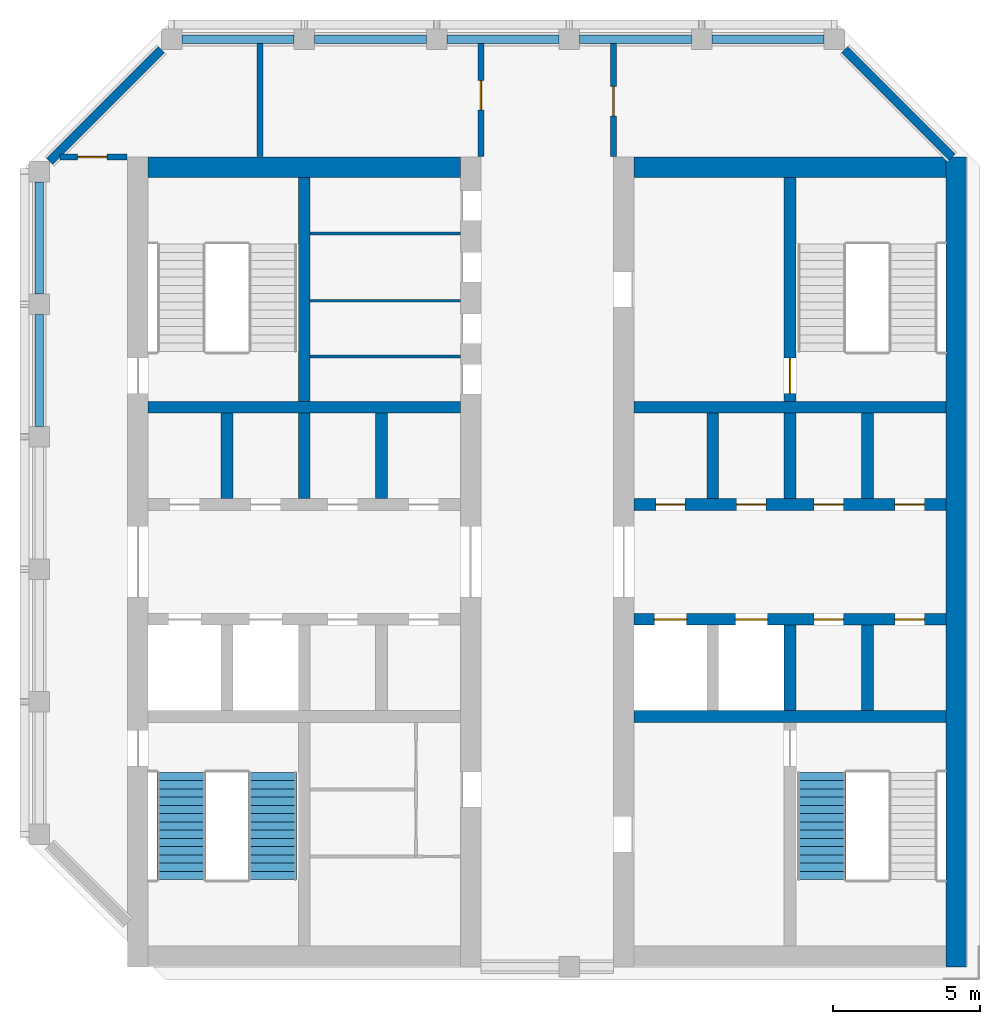
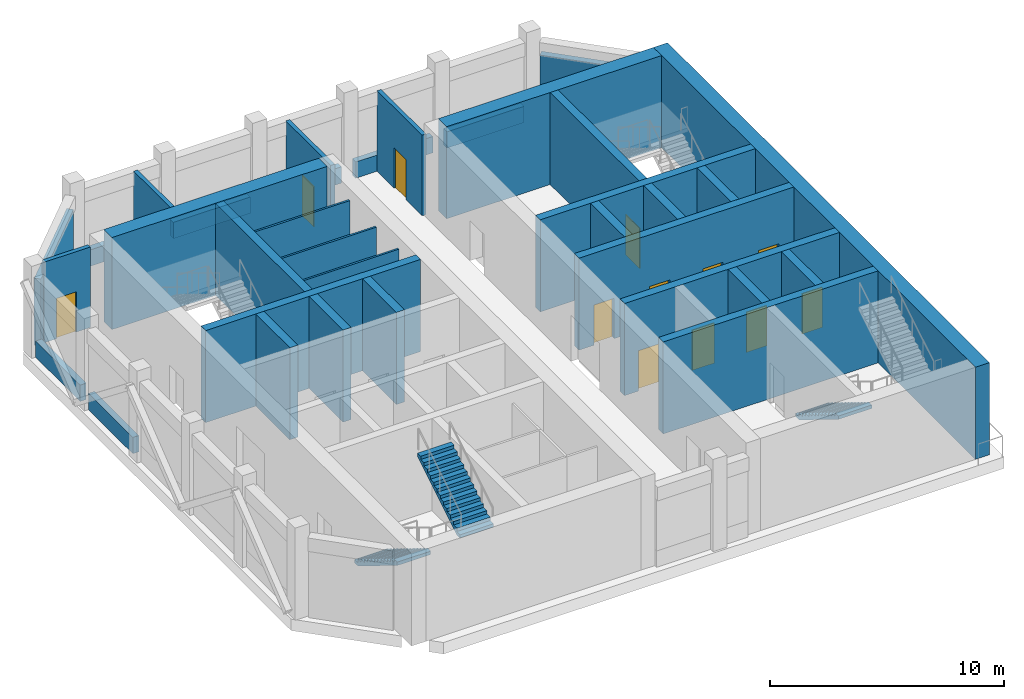
# One storey, part 3 of 6: 34 walls, 12 doors, 3 stair flights, 12 openings, 2 elements without a shape of their own.
"""IFC4 building model written with IfcOpenShell, lengths in metres."""

from ifc_helpers import new_model, si_unit, direction, frame, frame_2d, origin, place, context, subcontext, project, spatial, polyline, rectangle, outline, extrude, material, layer, layer_set, type_object, element, fill, aggregate, save


model = new_model("IFC4")

# Units and contexts
model_context = context("Model", 3, precision=1e-05, world=origin(), true_north=direction((0.0, 1.0)))
body_context = subcontext(model_context, "Body", "Model", "MODEL_VIEW")
ifc_project = project(units=[si_unit("LENGTHUNIT", "METRE"), si_unit("AREAUNIT", "SQUARE_METRE"), si_unit("VOLUMEUNIT", "CUBIC_METRE"), si_unit("PLANEANGLEUNIT", "RADIAN"), si_unit("MASSUNIT", "GRAM", prefix="KILO")], contexts=[model_context])

# Site, building, storey
site_placement = place(None, origin())
site = spatial("IfcSite", under=ifc_project, at=site_placement, CompositionType="ELEMENT")
building_placement = place(site_placement, origin())
building = spatial("IfcBuilding", under=site, at=building_placement, Name="Corbel Stack Research Tower", CompositionType="ELEMENT")
storey_placement = place(building_placement, frame((0.0, 0.0, 321.39990234375)))
storey = spatial("IfcBuildingStorey", under=building, at=storey_placement, Name="L72", CompositionType="ELEMENT", Elevation=321.39990234375)

# Wall, opening, door
ifc_material_1 = material(Name="Concrete blockwork C20/25", Category="masonry")
ifc_layer_1 = layer(ifc_material_1, 0.199951171875)
ifc_layer_set_1 = layer_set([ifc_layer_1], Name="Concrete blockwork C20/25")
wall_type_1 = type_object("IfcWallType", Name="Blockwork partition 200", PredefinedType="PARTITIONING", material=ifc_layer_set_1)
wall_1_placement = place(storey_placement, frame((-12.794921875, 18.5, 0.0), z_axis=(0.0, 0.0, 1.0), x_axis=(1.0, 0.0, 0.0)))
wall_1 = element("IfcWall", 1, at=wall_1_placement, inside=storey, type_object=wall_type_1, Name="Partition L72-01", PredefinedType="PARTITIONING", context=body_context, shape_type="SweptSolid", body=[
    extrude(rectangle(XDim=2.27490234375, YDim=0.199951171875, at=frame_2d((1.137451171875, 0.0))), origin(), (0.0, 0.0, 1.0), 4.2001953125),
])
opening_1_placement = place(wall_1_placement, frame((0.594970703125, 0.0, 0.0)))
opening_1 = element("IfcOpeningElement", 2, at=opening_1_placement, cuts=wall_1, Name="Opening D72-01", PredefinedType="OPENING", context=body_context, shape_type="SweptSolid", body=[
    extrude(rectangle(XDim=1.0, YDim=2.10009765625, at=frame_2d((0.5, 1.050048828125))), frame((0.0, 0.10986328125, 0.0), z_axis=(0.0, -1.0, 0.0), x_axis=(1.0, 0.0, 0.0)), (0.0, 0.0, 1.0), 0.219970703125),
])
ifc_material_2 = material(Name="Steel, painted", Category="steel")
door_type_1 = type_object("IfcDoorType", Name="Steel door 1000 x 2100 FD60", OperationType="SINGLE_SWING_LEFT", PredefinedType="DOOR", material=ifc_material_2)
door_1_placement = place(opening_1_placement, origin())
door_1 = element("IfcDoor", 3, at=door_1_placement, inside=storey, type_object=door_type_1, Name="Cooling water treatment plant room door", OperationType="SINGLE_SWING_LEFT", OverallHeight=2.10009765625, OverallWidth=1.0, PredefinedType="DOOR", context=body_context, shape_type="SweptSolid", body=[
    extrude(rectangle(XDim=1.0, YDim=2.10009765625, at=frame_2d((0.5, 1.050048828125))), frame((0.0, 0.02490234375, 0.0), z_axis=(0.0, -1.0, 0.0), x_axis=(1.0, 0.0, 0.0)), (0.0, 0.0, 1.0), 0.050048828125),
])
fill(opening_1, door_1)

# Wall
wall_2_placement = place(storey_placement, frame((-6.0, 22.35498046875, 0.0), z_axis=(0.0, 0.0, 1.0), x_axis=(0.0, -1.0, 0.0)))
element("IfcWall", 4, at=wall_2_placement, inside=storey, type_object=wall_type_1, Name="Partition L72-02", PredefinedType="PARTITIONING", context=body_context, shape_type="SweptSolid", body=[
    extrude(rectangle(XDim=3.8349609375, YDim=0.199951171875, at=frame_2d((1.91748046875, 0.0))), origin(), (0.0, 0.0, 1.0), 4.2001953125),
])

# Wall, opening, door
wall_3_placement = place(storey_placement, frame((1.5, 18.52001953125, 0.0), z_axis=(0.0, 0.0, 1.0), x_axis=(0.0, 1.0, 0.0)))
wall_3 = element("IfcWall", 5, at=wall_3_placement, inside=storey, type_object=wall_type_1, Name="Partition L72-03", PredefinedType="PARTITIONING", context=body_context, shape_type="SweptSolid", body=[
    extrude(rectangle(XDim=3.8349609375, YDim=0.199951171875, at=frame_2d((1.91748046875, 0.0))), origin(), (0.0, 0.0, 1.0), 4.2001953125),
])
opening_2_placement = place(wall_3_placement, frame((1.580078125, 0.0, 0.0)))
opening_2 = element("IfcOpeningElement", 6, at=opening_2_placement, cuts=wall_3, Name="Opening D72-02", PredefinedType="OPENING", context=body_context, shape_type="SweptSolid", body=[
    extrude(rectangle(XDim=1.0, YDim=2.10009765625, at=frame_2d((0.5, 1.050048828125))), frame((0.0, 0.10986328125, 0.0), z_axis=(0.0, -1.0, 0.0), x_axis=(1.0, 0.0, 0.0)), (0.0, 0.0, 1.0), 0.219970703125),
])
door_2_placement = place(opening_2_placement, origin())
door_2 = element("IfcDoor", 7, at=door_2_placement, inside=storey, type_object=door_type_1, Name="Lift machine plant room door", OperationType="SINGLE_SWING_LEFT", OverallHeight=2.10009765625, OverallWidth=1.0, PredefinedType="DOOR", context=body_context, shape_type="SweptSolid", body=[
    extrude(rectangle(XDim=1.0, YDim=2.10009765625, at=frame_2d((0.5, 1.050048828125))), frame((0.0, 0.02490234375, 0.0), z_axis=(0.0, -1.0, 0.0), x_axis=(1.0, 0.0, 0.0)), (0.0, 0.0, 1.0), 0.050048828125),
])
fill(opening_2, door_2)

wall_4_placement = place(storey_placement, frame((6.0, 22.35498046875, 0.0), z_axis=(0.0, 0.0, 1.0), x_axis=(0.0, -1.0, 0.0)))
wall_4 = element("IfcWall", 8, at=wall_4_placement, inside=storey, type_object=wall_type_1, Name="Partition L72-04", PredefinedType="PARTITIONING", context=body_context, shape_type="SweptSolid", body=[
    extrude(rectangle(XDim=3.8349609375, YDim=0.199951171875, at=frame_2d((1.91748046875, 0.0))), origin(), (0.0, 0.0, 1.0), 4.2001953125),
])
opening_3_placement = place(wall_4_placement, frame((1.455078125, 0.0, 0.0)))
opening_3 = element("IfcOpeningElement", 9, at=opening_3_placement, cuts=wall_4, Name="Opening D72-03", PredefinedType="OPENING", context=body_context, shape_type="SweptSolid", body=[
    extrude(rectangle(XDim=1.0, YDim=2.10009765625, at=frame_2d((0.5, 1.050048828125))), frame((0.0, 0.10986328125, 0.0), z_axis=(0.0, -1.0, 0.0), x_axis=(1.0, 0.0, 0.0)), (0.0, 0.0, 1.0), 0.219970703125),
])
door_3_placement = place(opening_3_placement, origin())
door_3 = element("IfcDoor", 10, at=door_3_placement, inside=storey, type_object=door_type_1, Name="Controls and monitoring plant room door", OperationType="SINGLE_SWING_LEFT", OverallHeight=2.10009765625, OverallWidth=1.0, PredefinedType="DOOR", context=body_context, shape_type="SweptSolid", body=[
    extrude(rectangle(XDim=1.0, YDim=2.10009765625, at=frame_2d((0.5, 1.050048828125))), frame((0.0, 0.02490234375, 0.0), z_axis=(0.0, -1.0, 0.0), x_axis=(1.0, 0.0, 0.0)), (0.0, 0.0, 1.0), 0.050048828125),
])
fill(opening_3, door_3)

# Walls
ifc_material_3 = material(Name="Concrete C60/75", Category="concrete")
ifc_layer_2 = layer(ifc_material_3, 0.39990234375)
ifc_layer_set_2 = layer_set([ifc_layer_2], Name="Concrete C60/75")
wall_type_2 = type_object("IfcWallType", Name="CW-400-60", PredefinedType="SHEAR", material=ifc_layer_set_2)
wall_5_placement = place(storey_placement, frame((-9.800048828125, 10.0, 0.0), z_axis=(0.0, 0.0, 1.0), x_axis=(1.0, 0.0, 0.0)))
element("IfcWall", 11, at=wall_5_placement, inside=storey, type_object=wall_type_2, Name="West core wall, north row back L72", PredefinedType="SHEAR", context=body_context, shape_type="SweptSolid", body=[
    extrude(rectangle(XDim=10.60009765625, YDim=0.39990234375, at=frame_2d((5.300048828125, 0.0))), origin(), (0.0, 0.0, 1.0), 4.800048828125),
])
for number, where, z_axis, x_axis, name in (
    (12, (-7.125, 6.89990234375, 0.0), (0.0, 0.0, 1.0), (0.0, 1.0, 0.0), "West core wall, north shaft 1 L72"),
    (13, (-4.5, 6.89990234375, 0.0), (0.0, 0.0, 1.0), (0.0, 1.0, 0.0), "West core wall, north shaft 2 L72"),
    (14, (-1.875, 6.89990234375, 0.0), (0.0, 0.0, 1.0), (0.0, 1.0, 0.0), "West core wall, north shaft 3 L72"),
):
    element("IfcWall", number, at=place(storey_placement, frame(where, z_axis=z_axis, x_axis=x_axis)), inside=storey, type_object=wall_type_2, Name=name, PredefinedType="SHEAR", context=body_context, shape_type="SweptSolid", body=[
        extrude(rectangle(XDim=2.900146484375, YDim=0.39990234375, at=frame_2d((1.4501953125, 0.0))), origin(), (0.0, 0.0, 1.0), 4.800048828125),
    ])
wall_6_placement = place(storey_placement, frame((-4.5, 10.199951171875, 0.0), z_axis=(0.0, 0.0, 1.0), x_axis=(0.0, 1.0, 0.0)))
element("IfcWall", 15, at=wall_6_placement, inside=storey, type_object=wall_type_2, Name="West core wall, north stair and riser L72", PredefinedType="SHEAR", context=body_context, shape_type="SweptSolid", body=[
    extrude(rectangle(XDim=7.60009765625, YDim=0.39990234375, at=frame_2d((3.800048828125, 0.0))), origin(), (0.0, 0.0, 1.0), 4.800048828125),
])
wall_7_placement = place(storey_placement, frame((6.699951171875, -0.5, 0.0), z_axis=(0.0, 0.0, 1.0), x_axis=(1.0, 0.0, 0.0)))
element("IfcWall", 16, at=wall_7_placement, inside=storey, type_object=wall_type_2, Name="East core wall, south row back L72", PredefinedType="SHEAR", context=body_context, shape_type="SweptSolid", body=[
    extrude(rectangle(XDim=10.60009765625, YDim=0.39990234375, at=frame_2d((5.300048828125, 0.0))), origin(), (0.0, 0.0, 1.0), 4.800048828125),
])

# Wall, openings, doors
wall_8_placement = place(storey_placement, frame((6.699951171875, 2.800048828125, 0.0), z_axis=(0.0, 0.0, 1.0), x_axis=(1.0, 0.0, 0.0)))
wall_8 = element("IfcWall", 17, at=wall_8_placement, inside=storey, type_object=wall_type_2, Name="East core wall, lobby south L72", PredefinedType="SHEAR", context=body_context, shape_type="SweptSolid", body=[
    extrude(rectangle(XDim=10.60009765625, YDim=0.39990234375, at=frame_2d((5.300048828125, 0.0))), origin(), (0.0, 0.0, 1.0), 4.800048828125),
])
opening_4_placement = place(wall_8_placement, frame((0.6875, 0.0, 0.0)))
opening_4 = element("IfcOpeningElement", 18, at=opening_4_placement, cuts=wall_8, Name="Opening LD-FS2", PredefinedType="OPENING", context=body_context, shape_type="SweptSolid", body=[
    extrude(rectangle(XDim=1.10009765625, YDim=2.10009765625, at=frame_2d((0.550048828125, 1.050048828125))), frame((0.0, 0.2099609375, 0.0), z_axis=(0.0, -1.0, 0.0), x_axis=(1.0, 0.0, 0.0)), (0.0, 0.0, 1.0), 0.419921875),
])
opening_5_placement = place(wall_8_placement, frame((3.4375, 0.0, 0.0)))
opening_5 = element("IfcOpeningElement", 19, at=opening_5_placement, cuts=wall_8, Name="Opening LD-GL2", PredefinedType="OPENING", context=body_context, shape_type="SweptSolid", body=[
    extrude(rectangle(XDim=1.10009765625, YDim=2.10009765625, at=frame_2d((0.550048828125, 1.050048828125))), frame((0.0, 0.2099609375, 0.0), z_axis=(0.0, -1.0, 0.0), x_axis=(1.0, 0.0, 0.0)), (0.0, 0.0, 1.0), 0.419921875),
])
opening_6_placement = place(wall_8_placement, frame((6.112548828125, 0.0, 0.0)))
opening_6 = element("IfcOpeningElement", 20, at=opening_6_placement, cuts=wall_8, Name="Opening CR-E66v-S3", PredefinedType="OPENING", context=body_context, shape_type="SweptSolid", body=[
    extrude(rectangle(XDim=1.0, YDim=2.10009765625, at=frame_2d((0.5, 1.050048828125))), frame((0.0, 0.2099609375, 0.0), z_axis=(0.0, -1.0, 0.0), x_axis=(1.0, 0.0, 0.0)), (0.0, 0.0, 1.0), 0.419921875),
])
opening_7_placement = place(wall_8_placement, frame((8.862548828125, 0.0, 0.0)))
opening_7 = element("IfcOpeningElement", 21, at=opening_7_placement, cuts=wall_8, Name="Opening CR-E66v-S4", PredefinedType="OPENING", context=body_context, shape_type="SweptSolid", body=[
    extrude(rectangle(XDim=1.0, YDim=2.10009765625, at=frame_2d((0.5, 1.050048828125))), frame((0.0, 0.2099609375, 0.0), z_axis=(0.0, -1.0, 0.0), x_axis=(1.0, 0.0, 0.0)), (0.0, 0.0, 1.0), 0.419921875),
])
ifc_material_4 = material(Name="Stainless steel landing door", Category="steel")
door_type_2 = type_object("IfcDoorType", Name="Lift landing door 1100 x 2100", OperationType="DOUBLE_DOOR_SLIDING", PredefinedType="DOOR", material=ifc_material_4)
door_4_placement = place(opening_4_placement, origin())
door_4 = element("IfcDoor", 22, at=door_4_placement, inside=storey, type_object=door_type_2, Name="Landing door FS2", OperationType="DOUBLE_DOOR_SLIDING", OverallHeight=2.10009765625, OverallWidth=1.10009765625, PredefinedType="DOOR", context=body_context, shape_type="SweptSolid", body=[
    extrude(rectangle(XDim=1.10009765625, YDim=2.10009765625, at=frame_2d((0.550048828125, 1.050048828125))), frame((0.0, 0.02490234375, 0.0), z_axis=(0.0, -1.0, 0.0), x_axis=(1.0, 0.0, 0.0)), (0.0, 0.0, 1.0), 0.050048828125),
])
fill(opening_4, door_4)
door_5_placement = place(opening_5_placement, origin())
door_5 = element("IfcDoor", 23, at=door_5_placement, inside=storey, type_object=door_type_2, Name="Landing door GL2", OperationType="DOUBLE_DOOR_SLIDING", OverallHeight=2.10009765625, OverallWidth=1.10009765625, PredefinedType="DOOR", context=body_context, shape_type="SweptSolid", body=[
    extrude(rectangle(XDim=1.10009765625, YDim=2.10009765625, at=frame_2d((0.550048828125, 1.050048828125))), frame((0.0, 0.02490234375, 0.0), z_axis=(0.0, -1.0, 0.0), x_axis=(1.0, 0.0, 0.0)), (0.0, 0.0, 1.0), 0.050048828125),
])
fill(opening_5, door_5)
ifc_material_5 = material(Name="Painted steel door", Category="steel")
door_type_3 = type_object("IfcDoorType", Name="Service door 1000 x 2100 FD60 left hand", OperationType="SINGLE_SWING_LEFT", PredefinedType="DOOR", material=ifc_material_5)
door_6_placement = place(opening_6_placement, origin())
door_6 = element("IfcDoor", 24, at=door_6_placement, inside=storey, type_object=door_type_3, Name="Electrical switch room door E core", OperationType="SINGLE_SWING_LEFT", OverallHeight=2.10009765625, OverallWidth=1.0, PredefinedType="DOOR", context=body_context, shape_type="SweptSolid", body=[
    extrude(rectangle(XDim=1.0, YDim=2.10009765625, at=frame_2d((0.5, 1.050048828125))), frame((0.0, 0.02490234375, 0.0), z_axis=(0.0, -1.0, 0.0), x_axis=(1.0, 0.0, 0.0)), (0.0, 0.0, 1.0), 0.050048828125),
])
fill(opening_6, door_6)
ifc_material_6 = material(Name="Painted steel door", Category="steel")
door_type_4 = type_object("IfcDoorType", Name="Service door 1000 x 2100 FD60 right hand", OperationType="SINGLE_SWING_RIGHT", PredefinedType="DOOR", material=ifc_material_6)
door_7_placement = place(opening_7_placement, origin())
door_7 = element("IfcDoor", 25, at=door_7_placement, inside=storey, type_object=door_type_4, Name="Electrical switch room door E core", OperationType="SINGLE_SWING_RIGHT", OverallHeight=2.10009765625, OverallWidth=1.0, PredefinedType="DOOR", context=body_context, shape_type="SweptSolid", body=[
    extrude(rectangle(XDim=1.0, YDim=2.10009765625, at=frame_2d((0.5, 1.050048828125))), frame((0.0, 0.02490234375, 0.0), z_axis=(0.0, -1.0, 0.0), x_axis=(1.0, 0.0, 0.0)), (0.0, 0.0, 1.0), 0.050048828125),
])
fill(opening_7, door_7)

wall_9_placement = place(storey_placement, frame((6.699951171875, 6.699951171875, 0.0), z_axis=(0.0, 0.0, 1.0), x_axis=(1.0, 0.0, 0.0)))
wall_9 = element("IfcWall", 26, at=wall_9_placement, inside=storey, type_object=wall_type_2, Name="East core wall, lobby north L72", PredefinedType="SHEAR", context=body_context, shape_type="SweptSolid", body=[
    extrude(rectangle(XDim=10.60009765625, YDim=0.39990234375, at=frame_2d((5.300048828125, 0.0))), origin(), (0.0, 0.0, 1.0), 4.800048828125),
])
opening_8_placement = place(wall_9_placement, frame((0.737548828125, 0.0, 0.0)))
opening_8 = element("IfcOpeningElement", 27, at=opening_8_placement, cuts=wall_9, Name="Opening CR-E66v-N1", PredefinedType="OPENING", context=body_context, shape_type="SweptSolid", body=[
    extrude(rectangle(XDim=1.0, YDim=2.10009765625, at=frame_2d((0.5, 1.050048828125))), frame((0.0, 0.2099609375, 0.0), z_axis=(0.0, -1.0, 0.0), x_axis=(1.0, 0.0, 0.0)), (0.0, 0.0, 1.0), 0.419921875),
])
opening_9_placement = place(wall_9_placement, frame((3.487548828125, 0.0, 0.0)))
opening_9 = element("IfcOpeningElement", 28, at=opening_9_placement, cuts=wall_9, Name="Opening CR-E66v-N2", PredefinedType="OPENING", context=body_context, shape_type="SweptSolid", body=[
    extrude(rectangle(XDim=1.0, YDim=2.10009765625, at=frame_2d((0.5, 1.050048828125))), frame((0.0, 0.2099609375, 0.0), z_axis=(0.0, -1.0, 0.0), x_axis=(1.0, 0.0, 0.0)), (0.0, 0.0, 1.0), 0.419921875),
])
opening_10_placement = place(wall_9_placement, frame((6.112548828125, 0.0, 0.0)))
opening_10 = element("IfcOpeningElement", 29, at=opening_10_placement, cuts=wall_9, Name="Opening CR-E66v-N3", PredefinedType="OPENING", context=body_context, shape_type="SweptSolid", body=[
    extrude(rectangle(XDim=1.0, YDim=2.10009765625, at=frame_2d((0.5, 1.050048828125))), frame((0.0, 0.2099609375, 0.0), z_axis=(0.0, -1.0, 0.0), x_axis=(1.0, 0.0, 0.0)), (0.0, 0.0, 1.0), 0.419921875),
])
opening_11_placement = place(wall_9_placement, frame((8.862548828125, 0.0, 0.0)))
opening_11 = element("IfcOpeningElement", 30, at=opening_11_placement, cuts=wall_9, Name="Opening CR-E66v-N4", PredefinedType="OPENING", context=body_context, shape_type="SweptSolid", body=[
    extrude(rectangle(XDim=1.0, YDim=2.10009765625, at=frame_2d((0.5, 1.050048828125))), frame((0.0, 0.2099609375, 0.0), z_axis=(0.0, -1.0, 0.0), x_axis=(1.0, 0.0, 0.0)), (0.0, 0.0, 1.0), 0.419921875),
])
door_8_placement = place(opening_8_placement, origin())
door_8 = element("IfcDoor", 31, at=door_8_placement, inside=storey, type_object=door_type_3, Name="Electrical switch room door E core", OperationType="SINGLE_SWING_LEFT", OverallHeight=2.10009765625, OverallWidth=1.0, PredefinedType="DOOR", context=body_context, shape_type="SweptSolid", body=[
    extrude(rectangle(XDim=1.0, YDim=2.10009765625, at=frame_2d((0.5, 1.050048828125))), frame((0.0, 0.02490234375, 0.0), z_axis=(0.0, -1.0, 0.0), x_axis=(1.0, 0.0, 0.0)), (0.0, 0.0, 1.0), 0.050048828125),
])
fill(opening_8, door_8)
door_9_placement = place(opening_10_placement, origin())
door_9 = element("IfcDoor", 32, at=door_9_placement, inside=storey, type_object=door_type_3, Name="Telecom plant room door E core", OperationType="SINGLE_SWING_LEFT", OverallHeight=2.10009765625, OverallWidth=1.0, PredefinedType="DOOR", context=body_context, shape_type="SweptSolid", body=[
    extrude(rectangle(XDim=1.0, YDim=2.10009765625, at=frame_2d((0.5, 1.050048828125))), frame((0.0, 0.02490234375, 0.0), z_axis=(0.0, -1.0, 0.0), x_axis=(1.0, 0.0, 0.0)), (0.0, 0.0, 1.0), 0.050048828125),
])
fill(opening_10, door_9)
door_10_placement = place(opening_9_placement, origin())
door_10 = element("IfcDoor", 33, at=door_10_placement, inside=storey, type_object=door_type_4, Name="Telecom plant room door E core", OperationType="SINGLE_SWING_RIGHT", OverallHeight=2.10009765625, OverallWidth=1.0, PredefinedType="DOOR", context=body_context, shape_type="SweptSolid", body=[
    extrude(rectangle(XDim=1.0, YDim=2.10009765625, at=frame_2d((0.5, 1.050048828125))), frame((0.0, 0.02490234375, 0.0), z_axis=(0.0, -1.0, 0.0), x_axis=(1.0, 0.0, 0.0)), (0.0, 0.0, 1.0), 0.050048828125),
])
fill(opening_9, door_10)
door_11_placement = place(opening_11_placement, origin())
door_11 = element("IfcDoor", 34, at=door_11_placement, inside=storey, type_object=door_type_4, Name="Telecom plant room door E core", OperationType="SINGLE_SWING_RIGHT", OverallHeight=2.10009765625, OverallWidth=1.0, PredefinedType="DOOR", context=body_context, shape_type="SweptSolid", body=[
    extrude(rectangle(XDim=1.0, YDim=2.10009765625, at=frame_2d((0.5, 1.050048828125))), frame((0.0, 0.02490234375, 0.0), z_axis=(0.0, -1.0, 0.0), x_axis=(1.0, 0.0, 0.0)), (0.0, 0.0, 1.0), 0.050048828125),
])
fill(opening_11, door_11)

# Walls
wall_10_placement = place(storey_placement, frame((6.699951171875, 10.0, 0.0), z_axis=(0.0, 0.0, 1.0), x_axis=(1.0, 0.0, 0.0)))
element("IfcWall", 35, at=wall_10_placement, inside=storey, type_object=wall_type_2, Name="East core wall, north row back L72", PredefinedType="SHEAR", context=body_context, shape_type="SweptSolid", body=[
    extrude(rectangle(XDim=10.60009765625, YDim=0.39990234375, at=frame_2d((5.300048828125, 0.0))), origin(), (0.0, 0.0, 1.0), 4.800048828125),
])
for number, where, z_axis, x_axis, name in (
    (36, (9.375, 6.89990234375, 0.0), (0.0, 0.0, 1.0), (0.0, 1.0, 0.0), "East core wall, north shaft 1 L72"),
    (37, (12.0, -0.300048828125, 0.0), (0.0, 0.0, 1.0), (0.0, 1.0, 0.0), "East core wall, south shaft 2 L72"),
    (38, (12.0, 6.89990234375, 0.0), (0.0, 0.0, 1.0), (0.0, 1.0, 0.0), "East core wall, north shaft 2 L72"),
    (39, (14.625, -0.300048828125, 0.0), (0.0, 0.0, 1.0), (0.0, 1.0, 0.0), "East core wall, south shaft 3 L72"),
    (40, (14.625, 6.89990234375, 0.0), (0.0, 0.0, 1.0), (0.0, 1.0, 0.0), "East core wall, north shaft 3 L72"),
):
    element("IfcWall", number, at=place(storey_placement, frame(where, z_axis=z_axis, x_axis=x_axis)), inside=storey, type_object=wall_type_2, Name=name, PredefinedType="SHEAR", context=body_context, shape_type="SweptSolid", body=[
        extrude(rectangle(XDim=2.900146484375, YDim=0.39990234375, at=frame_2d((1.4501953125, 0.0))), origin(), (0.0, 0.0, 1.0), 4.800048828125),
    ])

# Wall, opening, door
wall_11_placement = place(storey_placement, frame((12.0, 10.199951171875, 0.0), z_axis=(0.0, 0.0, 1.0), x_axis=(0.0, 1.0, 0.0)))
wall_11 = element("IfcWall", 41, at=wall_11_placement, inside=storey, type_object=wall_type_2, Name="East core wall, north stair and riser L72", PredefinedType="SHEAR", context=body_context, shape_type="SweptSolid", body=[
    extrude(rectangle(XDim=7.60009765625, YDim=0.39990234375, at=frame_2d((3.800048828125, 0.0))), origin(), (0.0, 0.0, 1.0), 4.800048828125),
])
opening_12_placement = place(wall_11_placement, frame((0.27490234375, 0.0, 0.0)))
opening_12 = element("IfcOpeningElement", 42, at=opening_12_placement, cuts=wall_11, Name="Opening SD-ST-E2", PredefinedType="OPENING", context=body_context, shape_type="SweptSolid", body=[
    extrude(rectangle(XDim=1.199951171875, YDim=2.10009765625, at=frame_2d((0.60009765625, 1.050048828125))), frame((0.0, 0.2099609375, 0.0), z_axis=(0.0, -1.0, 0.0), x_axis=(1.0, 0.0, 0.0)), (0.0, 0.0, 1.0), 0.419921875),
])
ifc_material_7 = material(Name="Painted steel fire door", Category="steel")
door_type_5 = type_object("IfcDoorType", Name="Stair door 1200 x 2100 FD90 right hand", OperationType="SINGLE_SWING_RIGHT", PredefinedType="DOOR", material=ifc_material_7)
door_12_placement = place(opening_12_placement, origin())
door_12 = element("IfcDoor", 43, at=door_12_placement, inside=storey, type_object=door_type_5, Name="Stair door ST-E2", OperationType="SINGLE_SWING_RIGHT", OverallHeight=2.10009765625, OverallWidth=1.199951171875, PredefinedType="DOOR", context=body_context, shape_type="SweptSolid", body=[
    extrude(rectangle(XDim=1.199951171875, YDim=2.10009765625, at=frame_2d((0.60009765625, 1.050048828125))), frame((0.0, 0.02490234375, 0.0), z_axis=(0.0, -1.0, 0.0), x_axis=(1.0, 0.0, 0.0)), (0.0, 0.0, 1.0), 0.050048828125),
])
fill(opening_12, door_12)

# Walls
ifc_material_8 = material(Name="Concrete C60/75", Category="concrete")
ifc_layer_3 = layer(ifc_material_8, 0.699951171875)
ifc_layer_set_3 = layer_set([ifc_layer_3], Name="Concrete C60/75")
wall_type_3 = type_object("IfcWallType", Name="CW-700-60", PredefinedType="SHEAR", material=ifc_layer_set_3)
wall_12_placement = place(storey_placement, frame((-9.800048828125, 18.14990234375, 0.0), z_axis=(0.0, 0.0, 1.0), x_axis=(1.0, 0.0, 0.0)))
element("IfcWall", 44, at=wall_12_placement, inside=storey, type_object=wall_type_3, Name="West core wall, north end L72", PredefinedType="SHEAR", context=body_context, shape_type="SweptSolid", body=[
    extrude(rectangle(XDim=10.60009765625, YDim=0.699951171875, at=frame_2d((5.300048828125, 0.0))), origin(), (0.0, 0.0, 1.0), 4.800048828125),
])
wall_13_placement = place(storey_placement, frame((17.64990234375, -9.0, 0.0), z_axis=(0.0, 0.0, 1.0), x_axis=(0.0, 1.0, 0.0)))
element("IfcWall", 45, at=wall_13_placement, inside=storey, type_object=wall_type_3, Name="East core wall, east face L72", PredefinedType="SHEAR", context=body_context, shape_type="SweptSolid", body=[
    extrude(rectangle(XDim=27.5, YDim=0.699951171875, at=frame_2d((13.75, 0.0))), origin(), (0.0, 0.0, 1.0), 4.800048828125),
])
wall_14_placement = place(storey_placement, frame((6.699951171875, 18.14990234375, 0.0), z_axis=(0.0, 0.0, 1.0), x_axis=(1.0, 0.0, 0.0)))
element("IfcWall", 46, at=wall_14_placement, inside=storey, type_object=wall_type_3, Name="East core wall, north end L72", PredefinedType="SHEAR", context=body_context, shape_type="SweptSolid", body=[
    extrude(rectangle(XDim=10.60009765625, YDim=0.699951171875, at=frame_2d((5.300048828125, 0.0))), origin(), (0.0, 0.0, 1.0), 4.800048828125),
])
ifc_material_9 = material(Name="Gypsum board")
ifc_layer_4 = layer(ifc_material_9, 0.10009765625)
ifc_layer_set_4 = layer_set([ifc_layer_4], Name="Gypsum board")
wall_type_4 = type_object("IfcWallType", Name="Core partition 100", PredefinedType="PARTITIONING", material=ifc_layer_set_4)
for number, where, z_axis, x_axis, name in (
    (47, (-4.300048828125, 11.719970703125, 0.0), (0.0, 0.0, 1.0), (1.0, 0.0, 0.0), "Core partition W"),
    (48, (-4.300048828125, 13.6201171875, 0.0), (0.0, 0.0, 1.0), (1.0, 0.0, 0.0), "Core partition W"),
    (49, (-4.300048828125, 15.89990234375, 0.0), (0.0, 0.0, 1.0), (1.0, 0.0, 0.0), "Core partition W"),
):
    element("IfcWall", number, at=place(storey_placement, frame(where, z_axis=z_axis, x_axis=x_axis)), inside=storey, type_object=wall_type_4, Name=name, PredefinedType="PARTITIONING", context=body_context, shape_type="SweptSolid", body=[
        extrude(rectangle(XDim=5.10009765625, YDim=0.10009765625, at=frame_2d((2.550048828125, 0.0))), origin(), (0.0, 0.0, 1.0), 4.2001953125),
    ])
ifc_material_10 = material(Name="Concrete C45/55", Category="concrete")
ifc_layer_5 = layer(ifc_material_10, 0.300048828125)
ifc_layer_set_5 = layer_set([ifc_layer_5], Name="Concrete C45/55")
wall_type_5 = type_object("IfcWallType", Name="Precast plant wall 300 C45/55", PredefinedType="SOLIDWALL", material=ifc_layer_set_5)
wall_15_placement = place(storey_placement, frame((17.5, 18.5, 0.0), z_axis=(0.0, 0.0, 1.0), x_axis=(-0.707106781187, 0.707106781187, 0.0)))
element("IfcWall", 50, at=wall_15_placement, inside=storey, type_object=wall_type_5, Name="Plant wall L72-03", PredefinedType="SOLIDWALL", context=body_context, shape_type="SweptSolid", body=[
    extrude(rectangle(XDim=5.16162109375, YDim=0.300048828125, at=frame_2d((2.580810546875, 0.0))), origin(), (0.0, 0.0, 1.0), 3.5),
])
for number, where, z_axis, x_axis, name in (
    (51, (13.14990234375, 22.5, 0.0), (0.0, 0.0, 1.0), (-1.0, 0.0, 0.0), "Plant wall base L72-04"),
    (52, (8.64990234375, 22.5, 0.0), (0.0, 0.0, 1.0), (-1.0, 0.0, 0.0), "Plant wall base L72-05"),
    (53, (4.14990234375, 22.5, 0.0), (0.0, 0.0, 1.0), (-1.0, 0.0, 0.0), "Plant wall base L72-06"),
    (54, (-0.35009765625, 22.5, 0.0), (0.0, 0.0, 1.0), (-1.0, 0.0, 0.0), "Plant wall base L72-07"),
    (55, (-4.85009765625, 22.5, 0.0), (0.0, 0.0, 1.0), (-1.0, 0.0, 0.0), "Plant wall base L72-08"),
):
    element("IfcWall", number, at=place(storey_placement, frame(where, z_axis=z_axis, x_axis=x_axis)), inside=storey, type_object=wall_type_5, Name=name, PredefinedType="SOLIDWALL", context=body_context, shape_type="SweptSolid", body=[
        extrude(rectangle(XDim=3.7998046875, YDim=0.300048828125, at=frame_2d((1.89990234375, 0.0))), origin(), (0.0, 0.0, 1.0), 0.85009765625),
    ])
wall_16_placement = place(storey_placement, frame((-9.35009765625, 22.14990234375, 0.0), z_axis=(0.0, 0.0, 1.0), x_axis=(-0.707106781187, -0.707106781187, 0.0)))
element("IfcWall", 56, at=wall_16_placement, inside=storey, type_object=wall_type_5, Name="Plant wall L72-09", PredefinedType="SOLIDWALL", context=body_context, shape_type="SweptSolid", body=[
    extrude(rectangle(XDim=5.373779296875, YDim=0.300048828125, at=frame_2d((2.68701171875, 0.0))), origin(), (0.0, 0.0, 1.0), 3.5),
])
for number, where, z_axis, x_axis, name in (
    (57, (-13.5, 17.64990234375, 0.0), (0.0, 0.0, 1.0), (0.0, -1.0, 0.0), "Plant wall base L72-10"),
    (58, (-13.5, 13.14990234375, 0.0), (0.0, 0.0, 1.0), (0.0, -1.0, 0.0), "Plant wall base L72-11"),
):
    element("IfcWall", number, at=place(storey_placement, frame(where, z_axis=z_axis, x_axis=x_axis)), inside=storey, type_object=wall_type_5, Name=name, PredefinedType="SOLIDWALL", context=body_context, shape_type="SweptSolid", body=[
        extrude(rectangle(XDim=3.7998046875, YDim=0.300048828125, at=frame_2d((1.89990234375, 0.0))), origin(), (0.0, 0.0, 1.0), 0.85009765625),
    ])

# Stair, stair flights
ifc_material_11 = material(Name="Concrete C40/50", Category="concrete")
stair_type = type_object("IfcStairType", Name="Exit stair 28 risers", PredefinedType="HALF_TURN_STAIR", material=ifc_material_11)
stair_1_placement = place(storey_placement, origin())
stair_1 = element("IfcStair", 59, at=stair_1_placement, inside=storey, type_object=stair_type, Name="L72 Exit stair ST-W1", PredefinedType="HALF_TURN_STAIR")
ifc_material_12 = material(Name="Concrete C40/50", Category="concrete")
stair_flight_type = type_object("IfcStairFlightType", Name="Stair flight 14 risers", PredefinedType="STRAIGHT", material=ifc_material_12)
stair_flight_1_placement = place(storey_placement, frame((-8.675048828125, -2.39990234375, 0.0), z_axis=(0.0, 0.0, 1.0), x_axis=(0.0, -1.0, 0.0)))
stair_flight_1 = element("IfcStairFlight", 60, at=stair_flight_1_placement, type_object=stair_flight_type, Name="ST-W1 flight 1", NumberOfRisers=14, NumberOfTreads=13, PredefinedType="STRAIGHT", RiserHeight=0.171428571, TreadLength=0.28, context=body_context, shape_type="SweptSolid", body=[
    extrude(outline(polyline([(0.0, 0.0), (0.0, 0.17138671875), (0.280029296875, 0.17138671875), (0.280029296875, 0.3427734375), (0.56005859375, 0.3427734375), (0.56005859375, 0.514404296875), (0.840087890625, 0.514404296875), (0.840087890625, 0.685791015625), (1.1201171875, 0.685791015625), (1.1201171875, 0.857177734375), (1.39990234375, 0.857177734375), (1.39990234375, 1.028564453125), (1.679931640625, 1.028564453125), (1.679931640625, 1.199951171875), (1.9599609375, 1.199951171875), (1.9599609375, 1.371337890625), (2.239990234375, 1.371337890625), (2.239990234375, 1.54296875), (2.52001953125, 1.54296875), (2.52001953125, 1.71435546875), (2.800048828125, 1.71435546875), (2.800048828125, 1.8857421875), (3.080078125, 1.8857421875), (3.080078125, 2.05712890625), (3.360107421875, 2.05712890625), (3.360107421875, 2.228515625), (3.639892578125, 2.228515625), (3.639892578125, 2.39990234375), (3.639892578125, 2.052734375), (0.287109375, 0.0), (0.0, 0.0)])), frame((0.0, 0.824951171875, 0.0), z_axis=(0.0, -1.0, 0.0), x_axis=(1.0, 0.0, 0.0)), (0.0, 0.0, 1.0), 1.64990234375),
])
stair_flight_2_placement = place(storey_placement, frame((-5.574951171875, -6.0400390625, 2.400146484375), z_axis=(0.0, 0.0, 1.0), x_axis=(0.0, 1.0, 0.0)))
stair_flight_2 = element("IfcStairFlight", 61, at=stair_flight_2_placement, type_object=stair_flight_type, Name="ST-W1 flight 2", NumberOfRisers=14, NumberOfTreads=13, PredefinedType="STRAIGHT", RiserHeight=0.171428571, TreadLength=0.28, context=body_context, shape_type="SweptSolid", body=[
    extrude(outline(polyline([(0.0, 0.0), (0.0, 0.17138671875), (0.280029296875, 0.17138671875), (0.280029296875, 0.3427734375), (0.56005859375, 0.3427734375), (0.56005859375, 0.514404296875), (0.840087890625, 0.514404296875), (0.840087890625, 0.685791015625), (1.1201171875, 0.685791015625), (1.1201171875, 0.857177734375), (1.39990234375, 0.857177734375), (1.39990234375, 1.028564453125), (1.679931640625, 1.028564453125), (1.679931640625, 1.199951171875), (1.9599609375, 1.199951171875), (1.9599609375, 1.371337890625), (2.239990234375, 1.371337890625), (2.239990234375, 1.54296875), (2.52001953125, 1.54296875), (2.52001953125, 1.71435546875), (2.800048828125, 1.71435546875), (2.800048828125, 1.8857421875), (3.080078125, 1.8857421875), (3.080078125, 2.05712890625), (3.360107421875, 2.05712890625), (3.360107421875, 2.228515625), (3.639892578125, 2.228515625), (3.639892578125, 2.39990234375), (3.639892578125, 2.052734375), (0.287109375, 0.0), (0.0, 0.0)])), frame((0.0, 0.824951171875, 0.0), z_axis=(0.0, -1.0, 0.0), x_axis=(1.0, 0.0, 0.0)), (0.0, 0.0, 1.0), 1.64990234375),
])
aggregate(stair_1, [stair_flight_1, stair_flight_2])

# Stair, stair flight
stair_2_placement = place(storey_placement, origin())
stair_2 = element("IfcStair", 62, at=stair_2_placement, inside=storey, type_object=stair_type, Name="L72 Exit stair ST-E1", PredefinedType="HALF_TURN_STAIR")
stair_flight_3_placement = place(storey_placement, frame((13.074951171875, -2.39990234375, 0.0), z_axis=(0.0, 0.0, 1.0), x_axis=(0.0, -1.0, 0.0)))
stair_flight_3 = element("IfcStairFlight", 63, at=stair_flight_3_placement, type_object=stair_flight_type, Name="ST-E1 flight 1", NumberOfRisers=14, NumberOfTreads=13, PredefinedType="STRAIGHT", RiserHeight=0.171428571, TreadLength=0.28, context=body_context, shape_type="SweptSolid", body=[
    extrude(outline(polyline([(0.0, 0.0), (0.0, 0.17138671875), (0.280029296875, 0.17138671875), (0.280029296875, 0.3427734375), (0.56005859375, 0.3427734375), (0.56005859375, 0.514404296875), (0.840087890625, 0.514404296875), (0.840087890625, 0.685791015625), (1.1201171875, 0.685791015625), (1.1201171875, 0.857177734375), (1.39990234375, 0.857177734375), (1.39990234375, 1.028564453125), (1.679931640625, 1.028564453125), (1.679931640625, 1.199951171875), (1.9599609375, 1.199951171875), (1.9599609375, 1.371337890625), (2.239990234375, 1.371337890625), (2.239990234375, 1.54296875), (2.52001953125, 1.54296875), (2.52001953125, 1.71435546875), (2.800048828125, 1.71435546875), (2.800048828125, 1.8857421875), (3.080078125, 1.8857421875), (3.080078125, 2.05712890625), (3.360107421875, 2.05712890625), (3.360107421875, 2.228515625), (3.639892578125, 2.228515625), (3.639892578125, 2.39990234375), (3.639892578125, 2.052734375), (0.287109375, 0.0), (0.0, 0.0)])), frame((0.0, 0.824951171875, 0.0), z_axis=(0.0, -1.0, 0.0), x_axis=(1.0, 0.0, 0.0)), (0.0, 0.0, 1.0), 1.64990234375),
])
aggregate(stair_2, [stair_flight_3])

save(model, "model.ifc")
